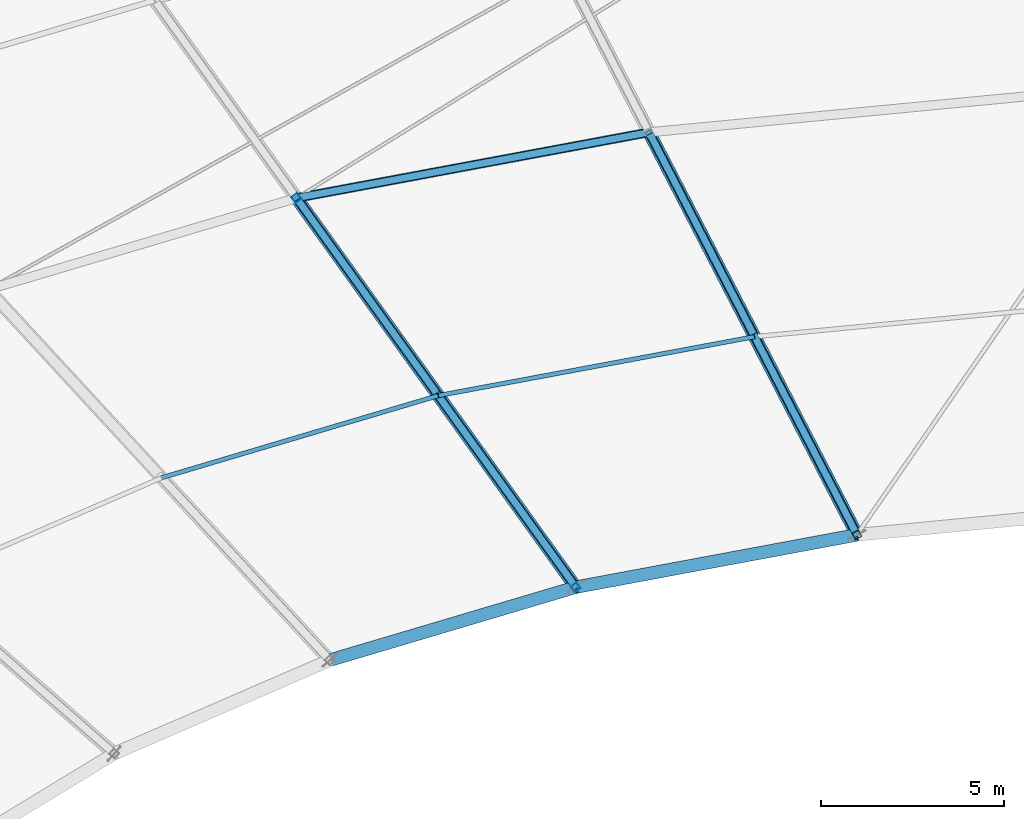
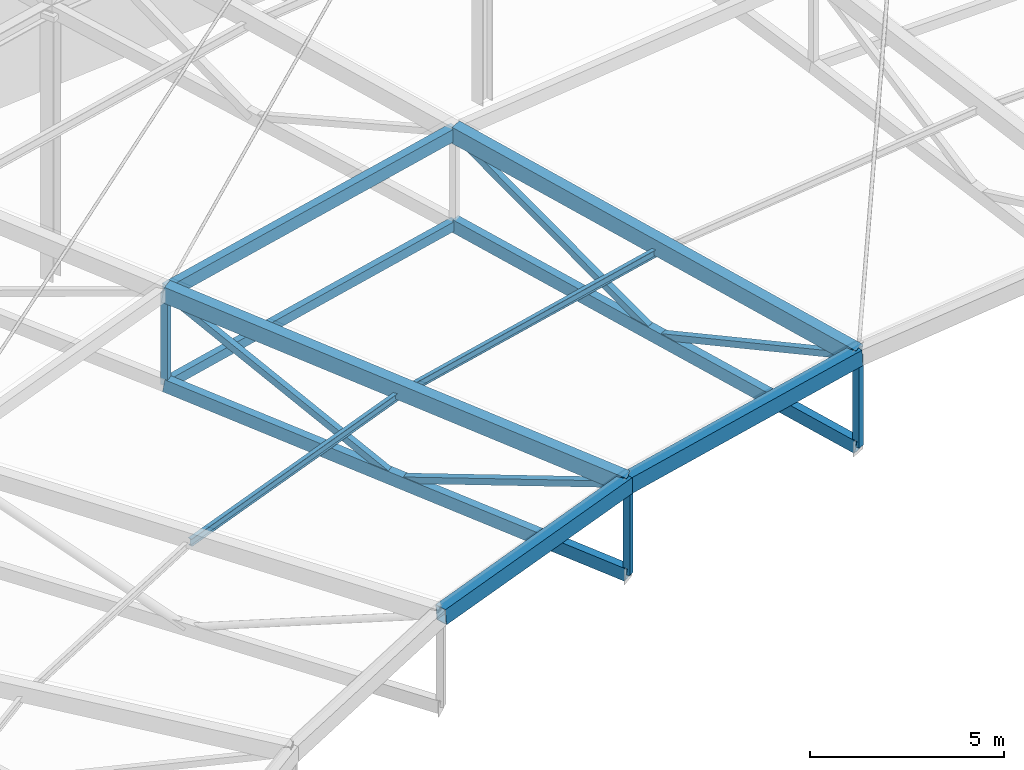
# One storey, part 53 of 143: 10 members, 7 beams.
"""IFC4 building model written with IfcOpenShell, lengths in metres."""

from ifc_helpers import new_model, si_unit, direction, frame, origin, origin_2d, place, context, subcontext, project, spatial, hollow_rectangle, i_section, extrude, material, material_profile, profile_set, type_object, element, save


model = new_model("IFC4")

# Units and contexts
model_context = context("Model", 3, precision=1e-05, world=origin(), true_north=direction((0.0, 1.0)))
body_context = subcontext(model_context, "Body", "Model", "MODEL_VIEW")
ifc_project = project(units=[si_unit("LENGTHUNIT", "METRE"), si_unit("AREAUNIT", "SQUARE_METRE"), si_unit("VOLUMEUNIT", "CUBIC_METRE"), si_unit("PLANEANGLEUNIT", "RADIAN"), si_unit("MASSUNIT", "GRAM", prefix="KILO")], contexts=[model_context])

# Site, building, storey
site_placement = place(None, origin())
site = spatial("IfcSite", under=ifc_project, at=site_placement, CompositionType="ELEMENT")
building_placement = place(site_placement, origin())
building = spatial("IfcBuilding", under=site, at=building_placement, Name="Mphavela Belvedere Stadium", CompositionType="ELEMENT")
storey_placement = place(building_placement, frame((0.0, 0.0, 28.800048828125)))
storey = spatial("IfcBuildingStorey", under=building, at=storey_placement, Name="RF", CompositionType="ELEMENT", Elevation=28.800048828125)

# Beams
ifc_material_1 = material(Name="Steel S355", Category="steel")
ifc_material_profile_1 = material_profile(ifc_material_1, hollow_rectangle(XDim=0.35009765625, YDim=0.5, WallThickness=0.02001953125, at=origin_2d()), Name="RHS 500x350x20")
ifc_profile_set_1 = profile_set([ifc_material_profile_1], Name="Steel S355")
beam_type_1 = type_object("IfcBeamType", Name="BM-RING-IN", PredefinedType="BEAM", material=ifc_profile_set_1)
beam_1_placement = place(storey_placement, frame((92.616455078125, 130.331298828125, 6.90673828125), z_axis=(-0.981391845302, -0.182791168086, -0.058799956167), x_axis=(0.183107984128, -0.983092806478, 0.0)))
element("IfcBeam", 1, at=beam_1_placement, inside=storey, type_object=beam_type_1, Name="Inner tension ring beam RB-IN-15", PredefinedType="BEAM", context=body_context, shape_type="SweptSolid", body=[
    extrude(hollow_rectangle(XDim=0.35009765625, YDim=0.5, WallThickness=0.02001953125, at=origin_2d()), origin(), (0.0, 0.0, 1.0), 7.830810546875),
])
beam_2_placement = place(storey_placement, frame((84.931396484375, 128.89990234375, 6.4462890625), z_axis=(-0.955178265925, -0.283491054997, -0.085248472374), x_axis=(0.284526811355, -0.958668083134, 0.0)))
element("IfcBeam", 2, at=beam_2_placement, inside=storey, type_object=beam_type_1, Name="Inner tension ring beam RB-IN-16", PredefinedType="BEAM", context=body_context, shape_type="SweptSolid", body=[
    extrude(hollow_rectangle(XDim=0.35009765625, YDim=0.5, WallThickness=0.02001953125, at=origin_2d()), origin(), (0.0, 0.0, 1.0), 7.039306640625),
])
ifc_material_2 = material(Name="Steel S355", Category="steel")
ifc_material_profile_2 = material_profile(ifc_material_2, hollow_rectangle(XDim=0.25, YDim=0.39990234375, WallThickness=0.01611328125, at=origin_2d()), Name="RHS 400x250x16")
ifc_profile_set_2 = profile_set([ifc_material_profile_2], Name="Steel S355")
beam_type_2 = type_object("IfcBeamType", Name="BM-RING-MID", PredefinedType="BEAM", material=ifc_profile_set_2)
beam_3_placement = place(storey_placement, frame((86.93310546875, 141.33349609375, 9.271240234375), z_axis=(-0.98139414179, -0.18277751042, -0.058804082729), x_axis=(0.183094347373, -0.983095346322, 0.0)))
element("IfcBeam", 3, at=beam_3_placement, inside=storey, type_object=beam_type_2, Name="Intermediate roof ring beam RB-MID-15", PredefinedType="BEAM", context=body_context, shape_type="SweptSolid", body=[
    extrude(hollow_rectangle(XDim=0.25, YDim=0.39990234375, WallThickness=0.01611328125, at=origin_2d()), origin(), (0.0, 0.0, 1.0), 9.81884765625),
])
ifc_material_3 = material(Name="Steel S355", Category="steel")
ifc_material_profile_3 = material_profile(ifc_material_3, hollow_rectangle(XDim=0.25, YDim=0.39990234375, WallThickness=0.01611328125, at=origin_2d()), Name="RHS 400x250x16")
ifc_profile_set_3 = profile_set([ifc_material_profile_3], Name="Steel S355")
beam_type_3 = type_object("IfcBeamType", Name="BM-TRUSS-BC2", PredefinedType="BEAM", material=ifc_profile_set_3)
beam_4_placement = place(storey_placement, frame((86.93310546875, 141.33349609375, 6.371337890625), z_axis=(0.451136932804, -0.87334017255, -0.183718292151), x_axis=(0.888462753712, 0.458948728363, 0.0)))
element("IfcBeam", 4, at=beam_4_placement, inside=storey, type_object=beam_type_3, Name="Radial roof truss RT-15 bottom chord 3", PredefinedType="BEAM", context=body_context, shape_type="SweptSolid", body=[
    extrude(hollow_rectangle(XDim=0.25, YDim=0.39990234375, WallThickness=0.01611328125, at=origin_2d()), origin(), (0.0, 0.0, 1.0), 12.597900390625),
])
beam_5_placement = place(storey_placement, frame((77.296875, 139.538818359375, 5.793701171875), z_axis=(0.574983176294, -0.801254896657, -0.165483949559), x_axis=(0.812456656282, 0.583021596223, 0.0)))
element("IfcBeam", 5, at=beam_5_placement, inside=storey, type_object=beam_type_3, Name="Radial roof truss RT-16 bottom chord 3", PredefinedType="BEAM", context=body_context, shape_type="SweptSolid", body=[
    extrude(hollow_rectangle(XDim=0.25, YDim=0.39990234375, WallThickness=0.01611328125, at=origin_2d()), origin(), (0.0, 0.0, 1.0), 13.27783203125),
])
ifc_material_4 = material(Name="Steel S355", Category="steel")
ifc_material_profile_4 = material_profile(ifc_material_4, hollow_rectangle(XDim=0.35009765625, YDim=0.5, WallThickness=0.02001953125, at=origin_2d()), Name="RHS 500x350x20")
ifc_profile_set_4 = profile_set([ifc_material_profile_4], Name="Steel S355")
beam_type_4 = type_object("IfcBeamType", Name="BM-TRUSS-TC2", PredefinedType="BEAM", material=ifc_profile_set_4)
beam_6_placement = place(storey_placement, frame((86.93310546875, 141.33349609375, 9.271240234375), z_axis=(0.450804465526, -0.872696560804, -0.187552783566), x_axis=(0.888462753712, 0.458948728363, 0.0)))
element("IfcBeam", 6, at=beam_6_placement, inside=storey, type_object=beam_type_4, Name="Radial roof truss RT-15 top chord 3", PredefinedType="BEAM", context=body_context, shape_type="SweptSolid", body=[
    extrude(hollow_rectangle(XDim=0.35009765625, YDim=0.5, WallThickness=0.02001953125, at=origin_2d()), origin(), (0.0, 0.0, 1.0), 12.607177734375),
])
beam_7_placement = place(storey_placement, frame((77.296875, 139.538818359375, 8.69384765625), z_axis=(0.574618992285, -0.800747396207, -0.169164479645), x_axis=(0.812456656282, 0.583021596223, 0.0)))
element("IfcBeam", 7, at=beam_7_placement, inside=storey, type_object=beam_type_4, Name="Radial roof truss RT-16 top chord 3", PredefinedType="BEAM", context=body_context, shape_type="SweptSolid", body=[
    extrude(hollow_rectangle(XDim=0.35009765625, YDim=0.5, WallThickness=0.02001953125, at=origin_2d()), origin(), (0.0, 0.0, 1.0), 13.2861328125),
])

# Members
ifc_material_5 = material(Name="Steel S355", Category="steel")
ifc_material_profile_5 = material_profile(ifc_material_5, hollow_rectangle(XDim=0.199951171875, YDim=0.199951171875, WallThickness=0.010009765625, at=origin_2d()), Name="SHS 200x200x10")
ifc_profile_set_5 = profile_set([ifc_material_profile_5], Name="Steel S355")
member_type_1 = type_object("IfcMemberType", Name="MEM-POST-SHS200", PredefinedType="POST", material=ifc_profile_set_5)
member_1_placement = place(storey_placement, frame((92.616455078125, 130.331298828125, 4.056884765625), z_axis=(0.0, 0.0, 1.0), x_axis=(-0.458959712465, 0.888457079624, 0.0)))
element("IfcMember", 8, at=member_1_placement, inside=storey, type_object=member_type_1, Name="Radial roof truss RT-15 post P4", PredefinedType="POST", context=body_context, shape_type="SweptSolid", body=[
    extrude(hollow_rectangle(XDim=0.199951171875, YDim=0.199951171875, WallThickness=0.010009765625, at=origin_2d()), origin(), (0.0, 0.0, 1.0), 2.849853515625),
])
member_2_placement = place(storey_placement, frame((86.93310546875, 141.33349609375, 9.271240234375), z_axis=(0.383869344844, -0.743134640263, -0.548083235039), x_axis=(0.888466640129, 0.458941204707, 0.0)))
element("IfcMember", 9, at=member_2_placement, inside=storey, type_object=member_type_1, Name="Radial roof truss RT-15 web diagonal D5", PredefinedType="POST", context=body_context, shape_type="SweptSolid", body=[
    extrude(hollow_rectangle(XDim=0.199951171875, YDim=0.199951171875, WallThickness=0.010009765625, at=origin_2d()), origin(), (0.0, 0.0, 1.0), 7.40234375),
])
member_3_placement = place(storey_placement, frame((89.774658203125, 135.83251953125, 5.214111328125), z_axis=(0.442712881678, -0.857014550072, 0.263688007618), x_axis=(0.888458867439, 0.458956251586, 0.0)))
element("IfcMember", 10, at=member_3_placement, inside=storey, type_object=member_type_1, Name="Radial roof truss RT-15 web diagonal D6", PredefinedType="POST", context=body_context, shape_type="SweptSolid", body=[
    extrude(hollow_rectangle(XDim=0.199951171875, YDim=0.199951171875, WallThickness=0.010009765625, at=origin_2d()), origin(), (0.0, 0.0, 1.0), 6.4189453125),
])
member_4_placement = place(storey_placement, frame((77.296875, 139.538818359375, 5.793701171875), z_axis=(0.0, 0.0, 1.0), x_axis=(-0.582974127943, 0.812490717577, 0.0)))
element("IfcMember", 11, at=member_4_placement, inside=storey, type_object=member_type_1, Name="Radial roof truss RT-16 post P3", PredefinedType="POST", context=body_context, shape_type="SweptSolid", body=[
    extrude(hollow_rectangle(XDim=0.199951171875, YDim=0.199951171875, WallThickness=0.010009765625, at=origin_2d()), origin(), (0.0, 0.0, 1.0), 2.900146484375),
])
member_5_placement = place(storey_placement, frame((84.931396484375, 128.89990234375, 3.596435546875), z_axis=(0.0, 0.0, 1.0), x_axis=(-0.582974127943, 0.812490717577, 0.0)))
element("IfcMember", 12, at=member_5_placement, inside=storey, type_object=member_type_1, Name="Radial roof truss RT-16 post P4", PredefinedType="POST", context=body_context, shape_type="SweptSolid", body=[
    extrude(hollow_rectangle(XDim=0.199951171875, YDim=0.199951171875, WallThickness=0.010009765625, at=origin_2d()), origin(), (0.0, 0.0, 1.0), 2.849853515625),
])
member_6_placement = place(storey_placement, frame((77.296875, 139.538818359375, 8.69384765625), z_axis=(0.497556185382, -0.693364513406, -0.521232667757), x_axis=(0.812459150287, 0.583018120743, 0.0)))
element("IfcMember", 13, at=member_6_placement, inside=storey, type_object=member_type_1, Name="Radial roof truss RT-16 web diagonal D5", PredefinedType="POST", context=body_context, shape_type="SweptSolid", body=[
    extrude(hollow_rectangle(XDim=0.199951171875, YDim=0.199951171875, WallThickness=0.010009765625, at=origin_2d()), origin(), (0.0, 0.0, 1.0), 7.671875),
])
member_7_placement = place(storey_placement, frame((81.114013671875, 134.219482421875, 4.695068359375), z_axis=(0.563227488771, -0.784865934564, 0.258380070156), x_axis=(0.812454162392, 0.583025071512, 0.0)))
element("IfcMember", 14, at=member_7_placement, inside=storey, type_object=member_type_1, Name="Radial roof truss RT-16 web diagonal D6", PredefinedType="POST", context=body_context, shape_type="SweptSolid", body=[
    extrude(hollow_rectangle(XDim=0.199951171875, YDim=0.199951171875, WallThickness=0.010009765625, at=origin_2d()), origin(), (0.0, 0.0, 1.0), 6.777587890625),
])
ifc_material_6 = material(Name="Steel S355", Category="steel")
ifc_material_profile_6 = material_profile(ifc_material_6, i_section(OverallWidth=0.1201171875, OverallDepth=0.239990234375, WebThickness=0.006103515625, FlangeThickness=0.009765625, at=origin_2d()), Name="IPE 240")
ifc_profile_set_6 = profile_set([ifc_material_profile_6], Name="Steel S355")
member_type_2 = type_object("IfcMemberType", Name="MEM-PURLIN-IPE240", PredefinedType="PURLIN", material=ifc_profile_set_6)
member_8_placement = place(storey_placement, frame((89.818359375, 135.747802734375, 7.910888671875), z_axis=(-0.981390057649, -0.182798170684, -0.05880802277), x_axis=(0.183115086025, -0.983091483673, 0.0)))
element("IfcMember", 15, at=member_8_placement, inside=storey, type_object=member_type_2, Name="Saddle canopy steel purlin 15-1", PredefinedType="PURLIN", context=body_context, shape_type="SweptSolid", body=[
    extrude(i_section(OverallWidth=0.1201171875, OverallDepth=0.239990234375, WebThickness=0.006103515625, FlangeThickness=0.009765625, at=origin_2d()), origin(), (0.0, 0.0, 1.0), 8.8095703125),
])
member_9_placement = place(storey_placement, frame((81.1728515625, 134.137451171875, 7.392822265625), z_axis=(-0.955166960995, -0.283522803391, -0.085269552482), x_axis=(0.284559190919, -0.958658472483, 0.0)))
element("IfcMember", 16, at=member_9_placement, inside=storey, type_object=member_type_2, Name="Saddle canopy steel purlin 16-1", PredefinedType="PURLIN", context=body_context, shape_type="SweptSolid", body=[
    extrude(i_section(OverallWidth=0.1201171875, OverallDepth=0.239990234375, WebThickness=0.006103515625, FlangeThickness=0.009765625, at=origin_2d()), origin(), (0.0, 0.0, 1.0), 7.91943359375),
])
ifc_material_7 = material(Name="Steel S355", Category="steel")
ifc_material_profile_7 = material_profile(ifc_material_7, hollow_rectangle(XDim=0.199951171875, YDim=0.300048828125, WallThickness=0.011962890625, at=origin_2d()), Name="RHS 300x200x12")
ifc_profile_set_7 = profile_set([ifc_material_profile_7], Name="Steel S355")
member_type_3 = type_object("IfcMemberType", Name="MEM-SEC-CHORD", PredefinedType="CHORD", material=ifc_profile_set_7)
member_10_placement = place(storey_placement, frame((86.93310546875, 141.33349609375, 6.371337890625), z_axis=(-0.981392706571, -0.182777243121, -0.058828861002), x_axis=(0.183094347373, -0.983095346322, 0.0)))
element("IfcMember", 17, at=member_10_placement, inside=storey, type_object=member_type_3, Name="Secondary bottom roof tie chord 15", PredefinedType="CHORD", context=body_context, shape_type="SweptSolid", body=[
    extrude(hollow_rectangle(XDim=0.199951171875, YDim=0.300048828125, WallThickness=0.011962890625, at=origin_2d()), origin(), (0.0, 0.0, 1.0), 9.81884765625),
])

save(model, "model.ifc")
